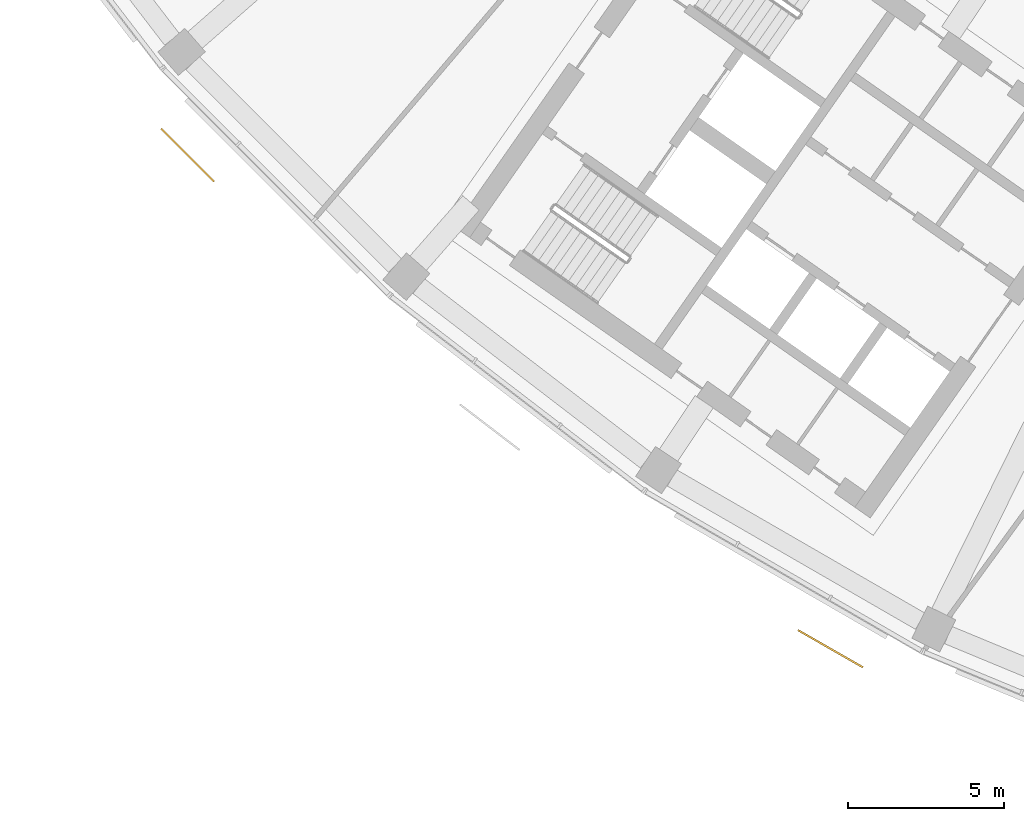
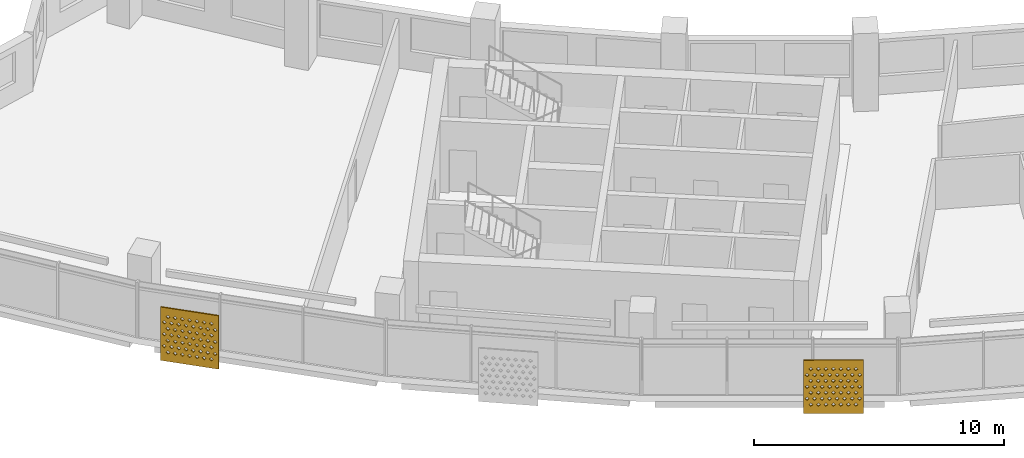
# One storey, part 23 of 29: 2 shading devices.
"""IFC4 building model written with IfcOpenShell, lengths in metres."""

from ifc_helpers import new_model, si_unit, direction, frame, origin, place, context, subcontext, project, spatial, polyline, outline, extrude, material, material_profile, profile_set, type_object, element, save


model = new_model("IFC4")

# Units and contexts
model_context = context("Model", 3, precision=1e-05, world=origin(), true_north=direction((0.0, 1.0)))
body_context = subcontext(model_context, "Body", "Model", "MODEL_VIEW")
ifc_project = project(units=[si_unit("LENGTHUNIT", "METRE"), si_unit("AREAUNIT", "SQUARE_METRE"), si_unit("VOLUMEUNIT", "CUBIC_METRE"), si_unit("PLANEANGLEUNIT", "RADIAN"), si_unit("MASSUNIT", "GRAM", prefix="KILO")], contexts=[model_context])

# Site, building, storey
site_placement = place(None, origin())
site = spatial("IfcSite", under=ifc_project, at=site_placement, CompositionType="ELEMENT")
building_placement = place(site_placement, origin())
building = spatial("IfcBuilding", under=site, at=building_placement, Name="Qamariyya Broadcast Tower", CompositionType="ELEMENT")
storey_placement = place(building_placement, frame((0.0, 0.0, 207.5)))
storey = spatial("IfcBuildingStorey", under=building, at=storey_placement, Name="L49", CompositionType="ELEMENT", Elevation=207.5)

# Shading devices
ifc_material = material(Name="Perforated glazed terracotta", Category="masonry")
ifc_material_profile = material_profile(ifc_material, outline(polyline([(-1.199951171875, -1.300048828125), (1.199951171875, -1.300048828125), (1.199951171875, 1.300048828125), (-1.199951171875, 1.300048828125), (-1.199951171875, -1.300048828125)]), holes=[polyline([(-0.81494140625, -0.86669921875), (-0.89990234375, -0.78173828125), (-0.985107421875, -0.86669921875), (-0.89990234375, -0.95166015625), (-0.81494140625, -0.86669921875)]), polyline([(-0.514892578125, -0.86669921875), (-0.60009765625, -0.78173828125), (-0.68505859375, -0.86669921875), (-0.60009765625, -0.95166015625), (-0.514892578125, -0.86669921875)]), polyline([(-0.215087890625, -0.86669921875), (-0.300048828125, -0.78173828125), (-0.385009765625, -0.86669921875), (-0.300048828125, -0.95166015625), (-0.215087890625, -0.86669921875)]), polyline([(0.0849609375, -0.86669921875), (0.0, -0.78173828125), (-0.0849609375, -0.86669921875), (0.0, -0.95166015625), (0.0849609375, -0.86669921875)]), polyline([(0.385009765625, -0.86669921875), (0.300048828125, -0.78173828125), (0.215087890625, -0.86669921875), (0.300048828125, -0.95166015625), (0.385009765625, -0.86669921875)]), polyline([(0.68505859375, -0.86669921875), (0.60009765625, -0.78173828125), (0.514892578125, -0.86669921875), (0.60009765625, -0.95166015625), (0.68505859375, -0.86669921875)]), polyline([(0.985107421875, -0.86669921875), (0.89990234375, -0.78173828125), (0.81494140625, -0.86669921875), (0.89990234375, -0.95166015625), (0.985107421875, -0.86669921875)]), polyline([(-0.965087890625, -0.577880859375), (-1.050048828125, -0.49267578125), (-1.135009765625, -0.577880859375), (-1.050048828125, -0.662841796875), (-0.965087890625, -0.577880859375)]), polyline([(-0.6650390625, -0.577880859375), (-0.75, -0.49267578125), (-0.8349609375, -0.577880859375), (-0.75, -0.662841796875), (-0.6650390625, -0.577880859375)]), polyline([(-0.364990234375, -0.577880859375), (-0.449951171875, -0.49267578125), (-0.534912109375, -0.577880859375), (-0.449951171875, -0.662841796875), (-0.364990234375, -0.577880859375)]), polyline([(-0.06494140625, -0.577880859375), (-0.14990234375, -0.49267578125), (-0.235107421875, -0.577880859375), (-0.14990234375, -0.662841796875), (-0.06494140625, -0.577880859375)]), polyline([(0.235107421875, -0.577880859375), (0.14990234375, -0.49267578125), (0.06494140625, -0.577880859375), (0.14990234375, -0.662841796875), (0.235107421875, -0.577880859375)]), polyline([(0.534912109375, -0.577880859375), (0.449951171875, -0.49267578125), (0.364990234375, -0.577880859375), (0.449951171875, -0.662841796875), (0.534912109375, -0.577880859375)]), polyline([(0.8349609375, -0.577880859375), (0.75, -0.49267578125), (0.6650390625, -0.577880859375), (0.75, -0.662841796875), (0.8349609375, -0.577880859375)]), polyline([(1.135009765625, -0.577880859375), (1.050048828125, -0.49267578125), (0.965087890625, -0.577880859375), (1.050048828125, -0.662841796875), (1.135009765625, -0.577880859375)]), polyline([(-0.81494140625, -0.288818359375), (-0.89990234375, -0.203857421875), (-0.985107421875, -0.288818359375), (-0.89990234375, -0.373779296875), (-0.81494140625, -0.288818359375)]), polyline([(-0.514892578125, -0.288818359375), (-0.60009765625, -0.203857421875), (-0.68505859375, -0.288818359375), (-0.60009765625, -0.373779296875), (-0.514892578125, -0.288818359375)]), polyline([(-0.215087890625, -0.288818359375), (-0.300048828125, -0.203857421875), (-0.385009765625, -0.288818359375), (-0.300048828125, -0.373779296875), (-0.215087890625, -0.288818359375)]), polyline([(0.0849609375, -0.288818359375), (0.0, -0.203857421875), (-0.0849609375, -0.288818359375), (0.0, -0.373779296875), (0.0849609375, -0.288818359375)]), polyline([(0.385009765625, -0.288818359375), (0.300048828125, -0.203857421875), (0.215087890625, -0.288818359375), (0.300048828125, -0.373779296875), (0.385009765625, -0.288818359375)]), polyline([(0.68505859375, -0.288818359375), (0.60009765625, -0.203857421875), (0.514892578125, -0.288818359375), (0.60009765625, -0.373779296875), (0.68505859375, -0.288818359375)]), polyline([(0.985107421875, -0.288818359375), (0.89990234375, -0.203857421875), (0.81494140625, -0.288818359375), (0.89990234375, -0.373779296875), (0.985107421875, -0.288818359375)]), polyline([(-0.965087890625, 0.0), (-1.050048828125, 0.0849609375), (-1.135009765625, 0.0), (-1.050048828125, -0.0849609375), (-0.965087890625, 0.0)]), polyline([(-0.6650390625, 0.0), (-0.75, 0.0849609375), (-0.8349609375, 0.0), (-0.75, -0.0849609375), (-0.6650390625, 0.0)]), polyline([(-0.364990234375, 0.0), (-0.449951171875, 0.0849609375), (-0.534912109375, 0.0), (-0.449951171875, -0.0849609375), (-0.364990234375, 0.0)]), polyline([(-0.06494140625, 0.0), (-0.14990234375, 0.0849609375), (-0.235107421875, 0.0), (-0.14990234375, -0.0849609375), (-0.06494140625, 0.0)]), polyline([(0.235107421875, 0.0), (0.14990234375, 0.0849609375), (0.06494140625, 0.0), (0.14990234375, -0.0849609375), (0.235107421875, 0.0)]), polyline([(0.534912109375, 0.0), (0.449951171875, 0.0849609375), (0.364990234375, 0.0), (0.449951171875, -0.0849609375), (0.534912109375, 0.0)]), polyline([(0.8349609375, 0.0), (0.75, 0.0849609375), (0.6650390625, 0.0), (0.75, -0.0849609375), (0.8349609375, 0.0)]), polyline([(1.135009765625, 0.0), (1.050048828125, 0.0849609375), (0.965087890625, 0.0), (1.050048828125, -0.0849609375), (1.135009765625, 0.0)]), polyline([(-0.81494140625, 0.288818359375), (-0.89990234375, 0.373779296875), (-0.985107421875, 0.288818359375), (-0.89990234375, 0.203857421875), (-0.81494140625, 0.288818359375)]), polyline([(-0.514892578125, 0.288818359375), (-0.60009765625, 0.373779296875), (-0.68505859375, 0.288818359375), (-0.60009765625, 0.203857421875), (-0.514892578125, 0.288818359375)]), polyline([(-0.215087890625, 0.288818359375), (-0.300048828125, 0.373779296875), (-0.385009765625, 0.288818359375), (-0.300048828125, 0.203857421875), (-0.215087890625, 0.288818359375)]), polyline([(0.0849609375, 0.288818359375), (0.0, 0.373779296875), (-0.0849609375, 0.288818359375), (0.0, 0.203857421875), (0.0849609375, 0.288818359375)]), polyline([(0.385009765625, 0.288818359375), (0.300048828125, 0.373779296875), (0.215087890625, 0.288818359375), (0.300048828125, 0.203857421875), (0.385009765625, 0.288818359375)]), polyline([(0.68505859375, 0.288818359375), (0.60009765625, 0.373779296875), (0.514892578125, 0.288818359375), (0.60009765625, 0.203857421875), (0.68505859375, 0.288818359375)]), polyline([(0.985107421875, 0.288818359375), (0.89990234375, 0.373779296875), (0.81494140625, 0.288818359375), (0.89990234375, 0.203857421875), (0.985107421875, 0.288818359375)]), polyline([(-0.965087890625, 0.577880859375), (-1.050048828125, 0.662841796875), (-1.135009765625, 0.577880859375), (-1.050048828125, 0.49267578125), (-0.965087890625, 0.577880859375)]), polyline([(-0.6650390625, 0.577880859375), (-0.75, 0.662841796875), (-0.8349609375, 0.577880859375), (-0.75, 0.49267578125), (-0.6650390625, 0.577880859375)]), polyline([(-0.364990234375, 0.577880859375), (-0.449951171875, 0.662841796875), (-0.534912109375, 0.577880859375), (-0.449951171875, 0.49267578125), (-0.364990234375, 0.577880859375)]), polyline([(-0.06494140625, 0.577880859375), (-0.14990234375, 0.662841796875), (-0.235107421875, 0.577880859375), (-0.14990234375, 0.49267578125), (-0.06494140625, 0.577880859375)]), polyline([(0.235107421875, 0.577880859375), (0.14990234375, 0.662841796875), (0.06494140625, 0.577880859375), (0.14990234375, 0.49267578125), (0.235107421875, 0.577880859375)]), polyline([(0.534912109375, 0.577880859375), (0.449951171875, 0.662841796875), (0.364990234375, 0.577880859375), (0.449951171875, 0.49267578125), (0.534912109375, 0.577880859375)]), polyline([(0.8349609375, 0.577880859375), (0.75, 0.662841796875), (0.6650390625, 0.577880859375), (0.75, 0.49267578125), (0.8349609375, 0.577880859375)]), polyline([(1.135009765625, 0.577880859375), (1.050048828125, 0.662841796875), (0.965087890625, 0.577880859375), (1.050048828125, 0.49267578125), (1.135009765625, 0.577880859375)]), polyline([(-0.81494140625, 0.86669921875), (-0.89990234375, 0.95166015625), (-0.985107421875, 0.86669921875), (-0.89990234375, 0.78173828125), (-0.81494140625, 0.86669921875)]), polyline([(-0.514892578125, 0.86669921875), (-0.60009765625, 0.95166015625), (-0.68505859375, 0.86669921875), (-0.60009765625, 0.78173828125), (-0.514892578125, 0.86669921875)]), polyline([(-0.215087890625, 0.86669921875), (-0.300048828125, 0.95166015625), (-0.385009765625, 0.86669921875), (-0.300048828125, 0.78173828125), (-0.215087890625, 0.86669921875)]), polyline([(0.0849609375, 0.86669921875), (0.0, 0.95166015625), (-0.0849609375, 0.86669921875), (0.0, 0.78173828125), (0.0849609375, 0.86669921875)]), polyline([(0.385009765625, 0.86669921875), (0.300048828125, 0.95166015625), (0.215087890625, 0.86669921875), (0.300048828125, 0.78173828125), (0.385009765625, 0.86669921875)]), polyline([(0.68505859375, 0.86669921875), (0.60009765625, 0.95166015625), (0.514892578125, 0.86669921875), (0.60009765625, 0.78173828125), (0.68505859375, 0.86669921875)]), polyline([(0.985107421875, 0.86669921875), (0.89990234375, 0.95166015625), (0.81494140625, 0.86669921875), (0.89990234375, 0.78173828125), (0.985107421875, 0.86669921875)])]))
ifc_profile_set = profile_set([ifc_material_profile], Name="Perforated glazed terracotta")
shading_device_type = type_object("IfcShadingDeviceType", Name="Perforated terracotta screen 2400 x 2600", PredefinedType="USERDEFINED", material=ifc_profile_set)
shading_device_1_placement = place(storey_placement, frame((-58.237060546875, -54.548828125, 1.35009765625), z_axis=(-0.707106781187, -0.707106781187, 0.0), x_axis=(0.707106781187, -0.707106781187, 0.0)))
element("IfcShadingDevice", 1, at=shading_device_1_placement, inside=storey, type_object=shading_device_type, Name="e-scr-L49-02-0", ObjectType="SCREEN", PredefinedType="USERDEFINED", context=body_context, shape_type="SweptSolid", body=[
    extrude(outline(polyline([(-1.199951171875, -1.300048828125), (1.199951171875, -1.300048828125), (1.199951171875, 1.300048828125), (-1.199951171875, 1.300048828125), (-1.199951171875, -1.300048828125)]), holes=[polyline([(-0.81494140625, -0.86669921875), (-0.89990234375, -0.78173828125), (-0.985107421875, -0.86669921875), (-0.89990234375, -0.95166015625), (-0.81494140625, -0.86669921875)]), polyline([(-0.514892578125, -0.86669921875), (-0.60009765625, -0.78173828125), (-0.68505859375, -0.86669921875), (-0.60009765625, -0.95166015625), (-0.514892578125, -0.86669921875)]), polyline([(-0.215087890625, -0.86669921875), (-0.300048828125, -0.78173828125), (-0.385009765625, -0.86669921875), (-0.300048828125, -0.95166015625), (-0.215087890625, -0.86669921875)]), polyline([(0.0849609375, -0.86669921875), (0.0, -0.78173828125), (-0.0849609375, -0.86669921875), (0.0, -0.95166015625), (0.0849609375, -0.86669921875)]), polyline([(0.385009765625, -0.86669921875), (0.300048828125, -0.78173828125), (0.215087890625, -0.86669921875), (0.300048828125, -0.95166015625), (0.385009765625, -0.86669921875)]), polyline([(0.68505859375, -0.86669921875), (0.60009765625, -0.78173828125), (0.514892578125, -0.86669921875), (0.60009765625, -0.95166015625), (0.68505859375, -0.86669921875)]), polyline([(0.985107421875, -0.86669921875), (0.89990234375, -0.78173828125), (0.81494140625, -0.86669921875), (0.89990234375, -0.95166015625), (0.985107421875, -0.86669921875)]), polyline([(-0.965087890625, -0.577880859375), (-1.050048828125, -0.49267578125), (-1.135009765625, -0.577880859375), (-1.050048828125, -0.662841796875), (-0.965087890625, -0.577880859375)]), polyline([(-0.6650390625, -0.577880859375), (-0.75, -0.49267578125), (-0.8349609375, -0.577880859375), (-0.75, -0.662841796875), (-0.6650390625, -0.577880859375)]), polyline([(-0.364990234375, -0.577880859375), (-0.449951171875, -0.49267578125), (-0.534912109375, -0.577880859375), (-0.449951171875, -0.662841796875), (-0.364990234375, -0.577880859375)]), polyline([(-0.06494140625, -0.577880859375), (-0.14990234375, -0.49267578125), (-0.235107421875, -0.577880859375), (-0.14990234375, -0.662841796875), (-0.06494140625, -0.577880859375)]), polyline([(0.235107421875, -0.577880859375), (0.14990234375, -0.49267578125), (0.06494140625, -0.577880859375), (0.14990234375, -0.662841796875), (0.235107421875, -0.577880859375)]), polyline([(0.534912109375, -0.577880859375), (0.449951171875, -0.49267578125), (0.364990234375, -0.577880859375), (0.449951171875, -0.662841796875), (0.534912109375, -0.577880859375)]), polyline([(0.8349609375, -0.577880859375), (0.75, -0.49267578125), (0.6650390625, -0.577880859375), (0.75, -0.662841796875), (0.8349609375, -0.577880859375)]), polyline([(1.135009765625, -0.577880859375), (1.050048828125, -0.49267578125), (0.965087890625, -0.577880859375), (1.050048828125, -0.662841796875), (1.135009765625, -0.577880859375)]), polyline([(-0.81494140625, -0.288818359375), (-0.89990234375, -0.203857421875), (-0.985107421875, -0.288818359375), (-0.89990234375, -0.373779296875), (-0.81494140625, -0.288818359375)]), polyline([(-0.514892578125, -0.288818359375), (-0.60009765625, -0.203857421875), (-0.68505859375, -0.288818359375), (-0.60009765625, -0.373779296875), (-0.514892578125, -0.288818359375)]), polyline([(-0.215087890625, -0.288818359375), (-0.300048828125, -0.203857421875), (-0.385009765625, -0.288818359375), (-0.300048828125, -0.373779296875), (-0.215087890625, -0.288818359375)]), polyline([(0.0849609375, -0.288818359375), (0.0, -0.203857421875), (-0.0849609375, -0.288818359375), (0.0, -0.373779296875), (0.0849609375, -0.288818359375)]), polyline([(0.385009765625, -0.288818359375), (0.300048828125, -0.203857421875), (0.215087890625, -0.288818359375), (0.300048828125, -0.373779296875), (0.385009765625, -0.288818359375)]), polyline([(0.68505859375, -0.288818359375), (0.60009765625, -0.203857421875), (0.514892578125, -0.288818359375), (0.60009765625, -0.373779296875), (0.68505859375, -0.288818359375)]), polyline([(0.985107421875, -0.288818359375), (0.89990234375, -0.203857421875), (0.81494140625, -0.288818359375), (0.89990234375, -0.373779296875), (0.985107421875, -0.288818359375)]), polyline([(-0.965087890625, 0.0), (-1.050048828125, 0.0849609375), (-1.135009765625, 0.0), (-1.050048828125, -0.0849609375), (-0.965087890625, 0.0)]), polyline([(-0.6650390625, 0.0), (-0.75, 0.0849609375), (-0.8349609375, 0.0), (-0.75, -0.0849609375), (-0.6650390625, 0.0)]), polyline([(-0.364990234375, 0.0), (-0.449951171875, 0.0849609375), (-0.534912109375, 0.0), (-0.449951171875, -0.0849609375), (-0.364990234375, 0.0)]), polyline([(-0.06494140625, 0.0), (-0.14990234375, 0.0849609375), (-0.235107421875, 0.0), (-0.14990234375, -0.0849609375), (-0.06494140625, 0.0)]), polyline([(0.235107421875, 0.0), (0.14990234375, 0.0849609375), (0.06494140625, 0.0), (0.14990234375, -0.0849609375), (0.235107421875, 0.0)]), polyline([(0.534912109375, 0.0), (0.449951171875, 0.0849609375), (0.364990234375, 0.0), (0.449951171875, -0.0849609375), (0.534912109375, 0.0)]), polyline([(0.8349609375, 0.0), (0.75, 0.0849609375), (0.6650390625, 0.0), (0.75, -0.0849609375), (0.8349609375, 0.0)]), polyline([(1.135009765625, 0.0), (1.050048828125, 0.0849609375), (0.965087890625, 0.0), (1.050048828125, -0.0849609375), (1.135009765625, 0.0)]), polyline([(-0.81494140625, 0.288818359375), (-0.89990234375, 0.373779296875), (-0.985107421875, 0.288818359375), (-0.89990234375, 0.203857421875), (-0.81494140625, 0.288818359375)]), polyline([(-0.514892578125, 0.288818359375), (-0.60009765625, 0.373779296875), (-0.68505859375, 0.288818359375), (-0.60009765625, 0.203857421875), (-0.514892578125, 0.288818359375)]), polyline([(-0.215087890625, 0.288818359375), (-0.300048828125, 0.373779296875), (-0.385009765625, 0.288818359375), (-0.300048828125, 0.203857421875), (-0.215087890625, 0.288818359375)]), polyline([(0.0849609375, 0.288818359375), (0.0, 0.373779296875), (-0.0849609375, 0.288818359375), (0.0, 0.203857421875), (0.0849609375, 0.288818359375)]), polyline([(0.385009765625, 0.288818359375), (0.300048828125, 0.373779296875), (0.215087890625, 0.288818359375), (0.300048828125, 0.203857421875), (0.385009765625, 0.288818359375)]), polyline([(0.68505859375, 0.288818359375), (0.60009765625, 0.373779296875), (0.514892578125, 0.288818359375), (0.60009765625, 0.203857421875), (0.68505859375, 0.288818359375)]), polyline([(0.985107421875, 0.288818359375), (0.89990234375, 0.373779296875), (0.81494140625, 0.288818359375), (0.89990234375, 0.203857421875), (0.985107421875, 0.288818359375)]), polyline([(-0.965087890625, 0.577880859375), (-1.050048828125, 0.662841796875), (-1.135009765625, 0.577880859375), (-1.050048828125, 0.49267578125), (-0.965087890625, 0.577880859375)]), polyline([(-0.6650390625, 0.577880859375), (-0.75, 0.662841796875), (-0.8349609375, 0.577880859375), (-0.75, 0.49267578125), (-0.6650390625, 0.577880859375)]), polyline([(-0.364990234375, 0.577880859375), (-0.449951171875, 0.662841796875), (-0.534912109375, 0.577880859375), (-0.449951171875, 0.49267578125), (-0.364990234375, 0.577880859375)]), polyline([(-0.06494140625, 0.577880859375), (-0.14990234375, 0.662841796875), (-0.235107421875, 0.577880859375), (-0.14990234375, 0.49267578125), (-0.06494140625, 0.577880859375)]), polyline([(0.235107421875, 0.577880859375), (0.14990234375, 0.662841796875), (0.06494140625, 0.577880859375), (0.14990234375, 0.49267578125), (0.235107421875, 0.577880859375)]), polyline([(0.534912109375, 0.577880859375), (0.449951171875, 0.662841796875), (0.364990234375, 0.577880859375), (0.449951171875, 0.49267578125), (0.534912109375, 0.577880859375)]), polyline([(0.8349609375, 0.577880859375), (0.75, 0.662841796875), (0.6650390625, 0.577880859375), (0.75, 0.49267578125), (0.8349609375, 0.577880859375)]), polyline([(1.135009765625, 0.577880859375), (1.050048828125, 0.662841796875), (0.965087890625, 0.577880859375), (1.050048828125, 0.49267578125), (1.135009765625, 0.577880859375)]), polyline([(-0.81494140625, 0.86669921875), (-0.89990234375, 0.95166015625), (-0.985107421875, 0.86669921875), (-0.89990234375, 0.78173828125), (-0.81494140625, 0.86669921875)]), polyline([(-0.514892578125, 0.86669921875), (-0.60009765625, 0.95166015625), (-0.68505859375, 0.86669921875), (-0.60009765625, 0.78173828125), (-0.514892578125, 0.86669921875)]), polyline([(-0.215087890625, 0.86669921875), (-0.300048828125, 0.95166015625), (-0.385009765625, 0.86669921875), (-0.300048828125, 0.78173828125), (-0.215087890625, 0.86669921875)]), polyline([(0.0849609375, 0.86669921875), (0.0, 0.95166015625), (-0.0849609375, 0.86669921875), (0.0, 0.78173828125), (0.0849609375, 0.86669921875)]), polyline([(0.385009765625, 0.86669921875), (0.300048828125, 0.95166015625), (0.215087890625, 0.86669921875), (0.300048828125, 0.78173828125), (0.385009765625, 0.86669921875)]), polyline([(0.68505859375, 0.86669921875), (0.60009765625, 0.95166015625), (0.514892578125, 0.86669921875), (0.60009765625, 0.78173828125), (0.68505859375, 0.86669921875)]), polyline([(0.985107421875, 0.86669921875), (0.89990234375, 0.95166015625), (0.81494140625, 0.86669921875), (0.89990234375, 0.78173828125), (0.985107421875, 0.86669921875)])]), origin(), (0.0, 0.0, 1.0), 0.06005859375),
])
shading_device_2_placement = place(storey_placement, frame((-37.6796875, -70.3349609375, 1.35009765625), z_axis=(-0.497016140981, -0.86774129532, 0.0), x_axis=(0.86774129532, -0.497016140981, 0.0)))
element("IfcShadingDevice", 2, at=shading_device_2_placement, inside=storey, type_object=shading_device_type, Name="e-scr-L49-04-2", ObjectType="SCREEN", PredefinedType="USERDEFINED", context=body_context, shape_type="SweptSolid", body=[
    extrude(outline(polyline([(-1.199951171875, -1.300048828125), (1.199951171875, -1.300048828125), (1.199951171875, 1.300048828125), (-1.199951171875, 1.300048828125), (-1.199951171875, -1.300048828125)]), holes=[polyline([(-0.81494140625, -0.86669921875), (-0.89990234375, -0.78173828125), (-0.985107421875, -0.86669921875), (-0.89990234375, -0.95166015625), (-0.81494140625, -0.86669921875)]), polyline([(-0.514892578125, -0.86669921875), (-0.60009765625, -0.78173828125), (-0.68505859375, -0.86669921875), (-0.60009765625, -0.95166015625), (-0.514892578125, -0.86669921875)]), polyline([(-0.215087890625, -0.86669921875), (-0.300048828125, -0.78173828125), (-0.385009765625, -0.86669921875), (-0.300048828125, -0.95166015625), (-0.215087890625, -0.86669921875)]), polyline([(0.0849609375, -0.86669921875), (0.0, -0.78173828125), (-0.0849609375, -0.86669921875), (0.0, -0.95166015625), (0.0849609375, -0.86669921875)]), polyline([(0.385009765625, -0.86669921875), (0.300048828125, -0.78173828125), (0.215087890625, -0.86669921875), (0.300048828125, -0.95166015625), (0.385009765625, -0.86669921875)]), polyline([(0.68505859375, -0.86669921875), (0.60009765625, -0.78173828125), (0.514892578125, -0.86669921875), (0.60009765625, -0.95166015625), (0.68505859375, -0.86669921875)]), polyline([(0.985107421875, -0.86669921875), (0.89990234375, -0.78173828125), (0.81494140625, -0.86669921875), (0.89990234375, -0.95166015625), (0.985107421875, -0.86669921875)]), polyline([(-0.965087890625, -0.577880859375), (-1.050048828125, -0.49267578125), (-1.135009765625, -0.577880859375), (-1.050048828125, -0.662841796875), (-0.965087890625, -0.577880859375)]), polyline([(-0.6650390625, -0.577880859375), (-0.75, -0.49267578125), (-0.8349609375, -0.577880859375), (-0.75, -0.662841796875), (-0.6650390625, -0.577880859375)]), polyline([(-0.364990234375, -0.577880859375), (-0.449951171875, -0.49267578125), (-0.534912109375, -0.577880859375), (-0.449951171875, -0.662841796875), (-0.364990234375, -0.577880859375)]), polyline([(-0.06494140625, -0.577880859375), (-0.14990234375, -0.49267578125), (-0.235107421875, -0.577880859375), (-0.14990234375, -0.662841796875), (-0.06494140625, -0.577880859375)]), polyline([(0.235107421875, -0.577880859375), (0.14990234375, -0.49267578125), (0.06494140625, -0.577880859375), (0.14990234375, -0.662841796875), (0.235107421875, -0.577880859375)]), polyline([(0.534912109375, -0.577880859375), (0.449951171875, -0.49267578125), (0.364990234375, -0.577880859375), (0.449951171875, -0.662841796875), (0.534912109375, -0.577880859375)]), polyline([(0.8349609375, -0.577880859375), (0.75, -0.49267578125), (0.6650390625, -0.577880859375), (0.75, -0.662841796875), (0.8349609375, -0.577880859375)]), polyline([(1.135009765625, -0.577880859375), (1.050048828125, -0.49267578125), (0.965087890625, -0.577880859375), (1.050048828125, -0.662841796875), (1.135009765625, -0.577880859375)]), polyline([(-0.81494140625, -0.288818359375), (-0.89990234375, -0.203857421875), (-0.985107421875, -0.288818359375), (-0.89990234375, -0.373779296875), (-0.81494140625, -0.288818359375)]), polyline([(-0.514892578125, -0.288818359375), (-0.60009765625, -0.203857421875), (-0.68505859375, -0.288818359375), (-0.60009765625, -0.373779296875), (-0.514892578125, -0.288818359375)]), polyline([(-0.215087890625, -0.288818359375), (-0.300048828125, -0.203857421875), (-0.385009765625, -0.288818359375), (-0.300048828125, -0.373779296875), (-0.215087890625, -0.288818359375)]), polyline([(0.0849609375, -0.288818359375), (0.0, -0.203857421875), (-0.0849609375, -0.288818359375), (0.0, -0.373779296875), (0.0849609375, -0.288818359375)]), polyline([(0.385009765625, -0.288818359375), (0.300048828125, -0.203857421875), (0.215087890625, -0.288818359375), (0.300048828125, -0.373779296875), (0.385009765625, -0.288818359375)]), polyline([(0.68505859375, -0.288818359375), (0.60009765625, -0.203857421875), (0.514892578125, -0.288818359375), (0.60009765625, -0.373779296875), (0.68505859375, -0.288818359375)]), polyline([(0.985107421875, -0.288818359375), (0.89990234375, -0.203857421875), (0.81494140625, -0.288818359375), (0.89990234375, -0.373779296875), (0.985107421875, -0.288818359375)]), polyline([(-0.965087890625, 0.0), (-1.050048828125, 0.0849609375), (-1.135009765625, 0.0), (-1.050048828125, -0.0849609375), (-0.965087890625, 0.0)]), polyline([(-0.6650390625, 0.0), (-0.75, 0.0849609375), (-0.8349609375, 0.0), (-0.75, -0.0849609375), (-0.6650390625, 0.0)]), polyline([(-0.364990234375, 0.0), (-0.449951171875, 0.0849609375), (-0.534912109375, 0.0), (-0.449951171875, -0.0849609375), (-0.364990234375, 0.0)]), polyline([(-0.06494140625, 0.0), (-0.14990234375, 0.0849609375), (-0.235107421875, 0.0), (-0.14990234375, -0.0849609375), (-0.06494140625, 0.0)]), polyline([(0.235107421875, 0.0), (0.14990234375, 0.0849609375), (0.06494140625, 0.0), (0.14990234375, -0.0849609375), (0.235107421875, 0.0)]), polyline([(0.534912109375, 0.0), (0.449951171875, 0.0849609375), (0.364990234375, 0.0), (0.449951171875, -0.0849609375), (0.534912109375, 0.0)]), polyline([(0.8349609375, 0.0), (0.75, 0.0849609375), (0.6650390625, 0.0), (0.75, -0.0849609375), (0.8349609375, 0.0)]), polyline([(1.135009765625, 0.0), (1.050048828125, 0.0849609375), (0.965087890625, 0.0), (1.050048828125, -0.0849609375), (1.135009765625, 0.0)]), polyline([(-0.81494140625, 0.288818359375), (-0.89990234375, 0.373779296875), (-0.985107421875, 0.288818359375), (-0.89990234375, 0.203857421875), (-0.81494140625, 0.288818359375)]), polyline([(-0.514892578125, 0.288818359375), (-0.60009765625, 0.373779296875), (-0.68505859375, 0.288818359375), (-0.60009765625, 0.203857421875), (-0.514892578125, 0.288818359375)]), polyline([(-0.215087890625, 0.288818359375), (-0.300048828125, 0.373779296875), (-0.385009765625, 0.288818359375), (-0.300048828125, 0.203857421875), (-0.215087890625, 0.288818359375)]), polyline([(0.0849609375, 0.288818359375), (0.0, 0.373779296875), (-0.0849609375, 0.288818359375), (0.0, 0.203857421875), (0.0849609375, 0.288818359375)]), polyline([(0.385009765625, 0.288818359375), (0.300048828125, 0.373779296875), (0.215087890625, 0.288818359375), (0.300048828125, 0.203857421875), (0.385009765625, 0.288818359375)]), polyline([(0.68505859375, 0.288818359375), (0.60009765625, 0.373779296875), (0.514892578125, 0.288818359375), (0.60009765625, 0.203857421875), (0.68505859375, 0.288818359375)]), polyline([(0.985107421875, 0.288818359375), (0.89990234375, 0.373779296875), (0.81494140625, 0.288818359375), (0.89990234375, 0.203857421875), (0.985107421875, 0.288818359375)]), polyline([(-0.965087890625, 0.577880859375), (-1.050048828125, 0.662841796875), (-1.135009765625, 0.577880859375), (-1.050048828125, 0.49267578125), (-0.965087890625, 0.577880859375)]), polyline([(-0.6650390625, 0.577880859375), (-0.75, 0.662841796875), (-0.8349609375, 0.577880859375), (-0.75, 0.49267578125), (-0.6650390625, 0.577880859375)]), polyline([(-0.364990234375, 0.577880859375), (-0.449951171875, 0.662841796875), (-0.534912109375, 0.577880859375), (-0.449951171875, 0.49267578125), (-0.364990234375, 0.577880859375)]), polyline([(-0.06494140625, 0.577880859375), (-0.14990234375, 0.662841796875), (-0.235107421875, 0.577880859375), (-0.14990234375, 0.49267578125), (-0.06494140625, 0.577880859375)]), polyline([(0.235107421875, 0.577880859375), (0.14990234375, 0.662841796875), (0.06494140625, 0.577880859375), (0.14990234375, 0.49267578125), (0.235107421875, 0.577880859375)]), polyline([(0.534912109375, 0.577880859375), (0.449951171875, 0.662841796875), (0.364990234375, 0.577880859375), (0.449951171875, 0.49267578125), (0.534912109375, 0.577880859375)]), polyline([(0.8349609375, 0.577880859375), (0.75, 0.662841796875), (0.6650390625, 0.577880859375), (0.75, 0.49267578125), (0.8349609375, 0.577880859375)]), polyline([(1.135009765625, 0.577880859375), (1.050048828125, 0.662841796875), (0.965087890625, 0.577880859375), (1.050048828125, 0.49267578125), (1.135009765625, 0.577880859375)]), polyline([(-0.81494140625, 0.86669921875), (-0.89990234375, 0.95166015625), (-0.985107421875, 0.86669921875), (-0.89990234375, 0.78173828125), (-0.81494140625, 0.86669921875)]), polyline([(-0.514892578125, 0.86669921875), (-0.60009765625, 0.95166015625), (-0.68505859375, 0.86669921875), (-0.60009765625, 0.78173828125), (-0.514892578125, 0.86669921875)]), polyline([(-0.215087890625, 0.86669921875), (-0.300048828125, 0.95166015625), (-0.385009765625, 0.86669921875), (-0.300048828125, 0.78173828125), (-0.215087890625, 0.86669921875)]), polyline([(0.0849609375, 0.86669921875), (0.0, 0.95166015625), (-0.0849609375, 0.86669921875), (0.0, 0.78173828125), (0.0849609375, 0.86669921875)]), polyline([(0.385009765625, 0.86669921875), (0.300048828125, 0.95166015625), (0.215087890625, 0.86669921875), (0.300048828125, 0.78173828125), (0.385009765625, 0.86669921875)]), polyline([(0.68505859375, 0.86669921875), (0.60009765625, 0.95166015625), (0.514892578125, 0.86669921875), (0.60009765625, 0.78173828125), (0.68505859375, 0.86669921875)]), polyline([(0.985107421875, 0.86669921875), (0.89990234375, 0.95166015625), (0.81494140625, 0.86669921875), (0.89990234375, 0.78173828125), (0.985107421875, 0.86669921875)])]), origin(), (0.0, 0.0, 1.0), 0.059814453125),
])

save(model, "model.ifc")
